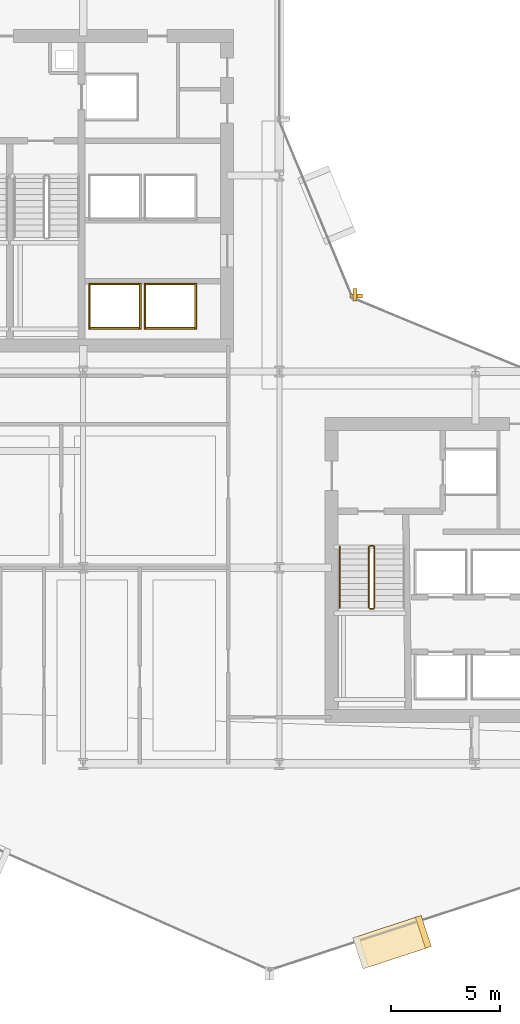
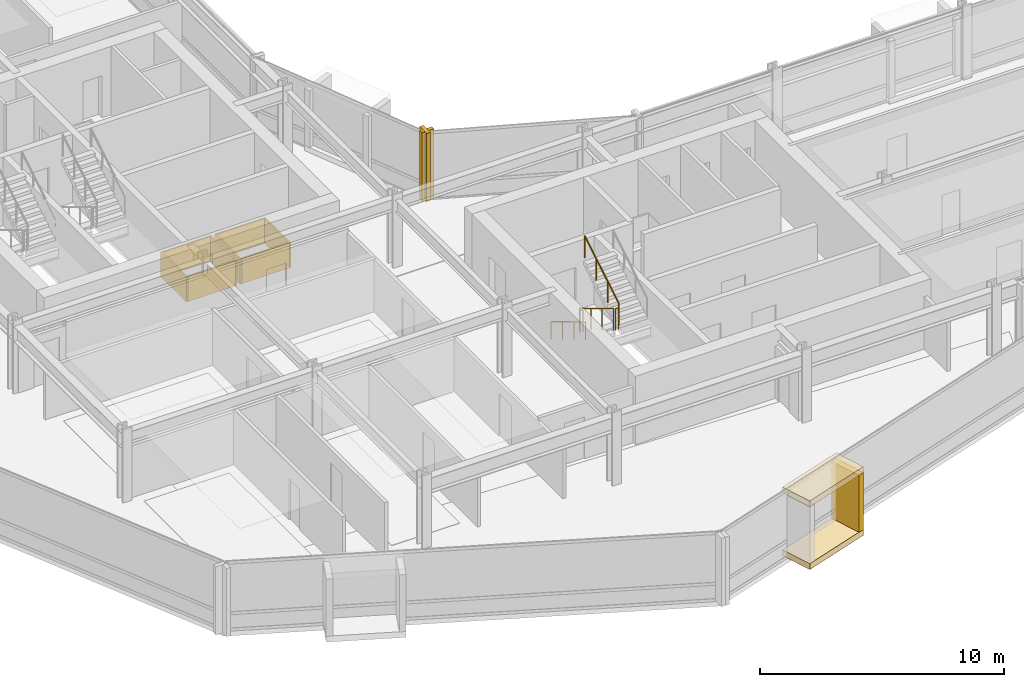
# One storey, part 31 of 34: 13 coverings, 5 railings.
"""IFC4 building model written with IfcOpenShell, lengths in metres."""

from ifc_helpers import new_model, si_unit, direction, frame, origin, origin_2d, place, context, subcontext, project, spatial, rectangle, circle, extrude, material, layer, layer_set, type_object, element, save


model = new_model("IFC4")

# Units and contexts
model_context = context("Model", 3, precision=1e-05, world=origin(), true_north=direction((0.0, 1.0)))
body_context = subcontext(model_context, "Body", "Model", "MODEL_VIEW")
ifc_project = project(units=[si_unit("LENGTHUNIT", "METRE"), si_unit("AREAUNIT", "SQUARE_METRE"), si_unit("VOLUMEUNIT", "CUBIC_METRE"), si_unit("PLANEANGLEUNIT", "RADIAN"), si_unit("MASSUNIT", "GRAM", prefix="KILO")], contexts=[model_context])

# Site, building, storey
site_placement = place(None, origin())
site = spatial("IfcSite", under=ifc_project, at=site_placement, CompositionType="ELEMENT")
building_placement = place(site_placement, origin())
building = spatial("IfcBuilding", under=site, at=building_placement, Name="Solvaryn Broadcast Tower", CompositionType="ELEMENT")
storey_placement = place(building_placement, frame((0.0, 0.0, 50.800048828125)))
storey = spatial("IfcBuildingStorey", under=building, at=storey_placement, Name="L11", CompositionType="ELEMENT", Elevation=50.800048828125)

# Coverings
ifc_material_1 = material(Name="Fire-Rated Gypsum Shaftwall Liner", Category="concrete")
ifc_layer_1 = layer(ifc_material_1, 0.080078125)
ifc_layer_set_1 = layer_set([ifc_layer_1], Name="CV-SHAFT-LINER")
covering_type_1 = type_object("IfcCoveringType", Name="CV-SHAFT-LINER", PredefinedType="CLADDING", material=ifc_layer_set_1)
for number, where, z_axis, x_axis, name in (
    (1, (19.449951171875, 31.014892578125, 0.0), (0.0, 0.0, 1.0), (1.0, 0.0, 0.0), "L11 PH1 Hoistway Shaft Liner North"),
    (2, (19.449951171875, 28.985107421875, 0.0), (0.0, 0.0, 1.0), (1.0, 0.0, 0.0), "L11 PH1 Hoistway Shaft Liner South"),
):
    element("IfcCovering", number, at=place(storey_placement, frame(where, z_axis=z_axis, x_axis=x_axis)), inside=storey, type_object=covering_type_1, Name=name, PredefinedType="CLADDING", context=body_context, shape_type="SweptSolid", body=[
        extrude(rectangle(XDim=2.409912109375, YDim=0.080078125, at=origin_2d()), origin(), (0.0, 0.0, 1.0), 1.25),
    ])
for number, where, z_axis, x_axis, name in (
    (3, (20.614990234375, 30.0, 0.0), (0.0, 0.0, 1.0), (1.0, 0.0, 0.0), "L11 PH1 Hoistway Shaft Liner East"),
    (4, (18.284912109375, 30.0, 0.0), (0.0, 0.0, 1.0), (1.0, 0.0, 0.0), "L11 PH1 Hoistway Shaft Liner West"),
):
    element("IfcCovering", number, at=place(storey_placement, frame(where, z_axis=z_axis, x_axis=x_axis)), inside=storey, type_object=covering_type_1, Name=name, PredefinedType="CLADDING", context=body_context, shape_type="SweptSolid", body=[
        extrude(rectangle(XDim=0.080078125, YDim=2.110107421875, at=origin_2d()), origin(), (0.0, 0.0, 1.0), 1.25),
    ])
for number, where, z_axis, x_axis, name in (
    (5, (22.0, 31.014892578125, 0.0), (0.0, 0.0, 1.0), (1.0, 0.0, 0.0), "L11 PH2 Hoistway Shaft Liner North"),
    (6, (22.0, 28.985107421875, 0.0), (0.0, 0.0, 1.0), (1.0, 0.0, 0.0), "L11 PH2 Hoistway Shaft Liner South"),
):
    element("IfcCovering", number, at=place(storey_placement, frame(where, z_axis=z_axis, x_axis=x_axis)), inside=storey, type_object=covering_type_1, Name=name, PredefinedType="CLADDING", context=body_context, shape_type="SweptSolid", body=[
        extrude(rectangle(XDim=2.409912109375, YDim=0.080078125, at=origin_2d()), origin(), (0.0, 0.0, 1.0), 1.25),
    ])
for number, where, z_axis, x_axis, name in (
    (7, (23.1650390625, 30.0, 0.0), (0.0, 0.0, 1.0), (1.0, 0.0, 0.0), "L11 PH2 Hoistway Shaft Liner East"),
    (8, (20.8349609375, 30.0, 0.0), (0.0, 0.0, 1.0), (1.0, 0.0, 0.0), "L11 PH2 Hoistway Shaft Liner West"),
):
    element("IfcCovering", number, at=place(storey_placement, frame(where, z_axis=z_axis, x_axis=x_axis)), inside=storey, type_object=covering_type_1, Name=name, PredefinedType="CLADDING", context=body_context, shape_type="SweptSolid", body=[
        extrude(rectangle(XDim=0.080078125, YDim=2.110107421875, at=origin_2d()), origin(), (0.0, 0.0, 1.0), 1.25),
    ])
ifc_material_2 = material(Name="Glazed Architectural Terracotta Rainscreen Cladding", Category="masonry")
ifc_layer_2 = layer(ifc_material_2, 0.280029296875)
ifc_layer_set_2 = layer_set([ifc_layer_2], Name="CV-TC-CLAD")
covering_type_2 = type_object("IfcCoveringType", Name="CV-TC-CLAD", PredefinedType="CLADDING", material=ifc_layer_set_2)
for number, where, z_axis, x_axis, name in (
    (9, (32.173095703125, 0.819091796875, 3.1298828125), (0.0, 0.0, 1.0), (0.950189870912, 0.311671636848, 0.0), "L11 Projecting Stone Window Box Hood 4"),
    (10, (32.173095703125, 0.819091796875, -0.01025390625), (0.0, 0.0, 1.0), (0.950189870912, 0.311671636848, 0.0), "L11 Projecting Stone Window Box Sill 4"),
):
    element("IfcCovering", number, at=place(storey_placement, frame(where, z_axis=z_axis, x_axis=x_axis)), inside=storey, type_object=covering_type_2, Name=name, PredefinedType="CLADDING", context=body_context, shape_type="SweptSolid", body=[
        extrude(rectangle(XDim=3.300048828125, YDim=1.5, at=origin_2d()), origin(), (0.0, 0.0, 1.0), 0.300048828125),
    ])
covering_1_placement = place(storey_placement, frame((33.60791015625, 1.28955078125, 0.27978515625), z_axis=(0.0, 0.0, 1.0), x_axis=(0.950189870912, 0.311671636848, 0.0)))
element("IfcCovering", 11, at=covering_1_placement, inside=storey, type_object=covering_type_2, Name="L11 Projecting Stone Window Box Cheek 4-2", PredefinedType="CLADDING", context=body_context, shape_type="SweptSolid", body=[
    extrude(rectangle(XDim=0.280029296875, YDim=1.5, at=origin_2d()), origin(), (0.0, 0.0, 1.0), 2.860107421875),
])
ifc_material_3 = material(Name="Extruded Architectural Terracotta Fin", Category="masonry")
ifc_layer_3 = layer(ifc_material_3, 0.179931640625)
ifc_layer_set_3 = layer_set([ifc_layer_3], Name="CV-TC-FIN")
covering_type_3 = type_object("IfcCoveringType", Name="CV-TC-FIN", PredefinedType="USERDEFINED", material=ifc_layer_set_3)
covering_2_placement = place(storey_placement, frame((30.464599609375, 30.52294921875, 0.0), z_axis=(0.0, 0.0, 1.0), x_axis=(1.0, 0.0, 0.0)))
element("IfcCovering", 12, at=covering_2_placement, inside=storey, type_object=covering_type_3, Name="L11 Terracotta Vertical Fin FIN-L11-CN1-M01", ObjectType="FIN", PredefinedType="USERDEFINED", context=body_context, shape_type="SweptSolid", body=[
    extrude(rectangle(XDim=0.179931640625, YDim=0.580078125, at=origin_2d()), origin(), (0.0, 0.0, 1.0), 3.419921875),
])
covering_3_placement = place(storey_placement, frame((30.52294921875, 30.464599609375, 0.0), z_axis=(0.0, 0.0, 1.0), x_axis=(1.0, 0.0, 0.0)))
element("IfcCovering", 13, at=covering_3_placement, inside=storey, type_object=covering_type_3, Name="L11 Terracotta Vertical Fin FIN-L11-CN2-M00", ObjectType="FIN", PredefinedType="USERDEFINED", context=body_context, shape_type="SweptSolid", body=[
    extrude(rectangle(XDim=0.580078125, YDim=0.179931640625, at=origin_2d()), origin(), (0.0, 0.0, 1.0), 3.419921875),
])

# Railings
ifc_material_4 = material(Name="Painted Steel Stair Well Guard", Category="steel")
railing_type_1 = type_object("IfcRailingType", Name="RL-STAIR-GUARD", PredefinedType="BALUSTRADE", material=ifc_material_4)
railing_1_placement = place(storey_placement, frame((31.110107421875, 18.9599609375, 0.168212890625)))
element("IfcRailing", 14, at=railing_1_placement, inside=storey, type_object=railing_type_1, Name="L11 ST3 stair guard 1", PredefinedType="BALUSTRADE", context=body_context, shape_type="SweptSolid", body=[
    extrude(circle(Radius=0.02392578125, at=origin_2d()), frame((0.0, 0.0, 1.076171875), z_axis=(0.0, -0.857275202839, 0.514858452973), x_axis=(1.0, 0.0, 0.0)), (0.0, 0.0, 1.0), 3.26611328125),
    extrude(circle(Radius=0.02099609375, at=origin_2d()), origin(), (0.0, 0.0, 1.0), 1.052001953125),
    extrude(circle(Radius=0.02099609375, at=origin_2d()), frame((0.0, -0.933349609375, 0.560546875)), (0.0, 0.0, 1.0), 1.052001953125),
    extrude(circle(Radius=0.02099609375, at=origin_2d()), frame((0.0, -1.86669921875, 1.12109375)), (0.0, 0.0, 1.0), 1.052001953125),
    extrude(circle(Radius=0.02099609375, at=origin_2d()), frame((0.0, -2.800048828125, 1.681640625)), (0.0, 0.0, 1.0), 1.052001953125),
])
railing_2_placement = place(storey_placement, frame((31.159912109375, 16.110107421875, 1.849853515625)))
element("IfcRailing", 15, at=railing_2_placement, inside=storey, type_object=railing_type_1, Name="L11 ST3 stair guard 2", PredefinedType="BALUSTRADE", context=body_context, shape_type="SweptSolid", body=[
    extrude(circle(Radius=0.02392578125, at=origin_2d()), frame((0.0, 0.0, 1.076171875), z_axis=(1.0, 0.0, 0.0), x_axis=(0.0, 1.0, 0.0)), (0.0, 0.0, 1.0), 0.150146484375),
    extrude(circle(Radius=0.02099609375, at=origin_2d()), origin(), (0.0, 0.0, 1.0), 1.052001953125),
    extrude(circle(Radius=0.02099609375, at=origin_2d()), frame((0.150146484375, 0.0, 0.0)), (0.0, 0.0, 1.0), 1.052001953125),
])
railing_3_placement = place(storey_placement, frame((31.360107421875, 16.159912109375, 2.01806640625)))
element("IfcRailing", 16, at=railing_3_placement, inside=storey, type_object=railing_type_1, Name="L11 ST3 stair guard 3", PredefinedType="BALUSTRADE", context=body_context, shape_type="SweptSolid", body=[
    extrude(circle(Radius=0.02392578125, at=origin_2d()), frame((0.0, 0.0, 1.076171875), z_axis=(0.0, 0.857242210791, 0.514913383045), x_axis=(-1.0, 0.0, 0.0)), (0.0, 0.0, 1.0), 3.266357421875),
    extrude(circle(Radius=0.02099609375, at=origin_2d()), origin(), (0.0, 0.0, 1.0), 1.052001953125),
    extrude(circle(Radius=0.02099609375, at=origin_2d()), frame((0.0, 0.933349609375, 0.560546875)), (0.0, 0.0, 1.0), 1.052001953125),
    extrude(circle(Radius=0.02099609375, at=origin_2d()), frame((0.0, 1.86669921875, 1.121337890625)), (0.0, 0.0, 1.0), 1.052001953125),
    extrude(circle(Radius=0.02099609375, at=origin_2d()), frame((0.0, 2.800048828125, 1.681884765625)), (0.0, 0.0, 1.0), 1.052001953125),
])
railing_4_placement = place(storey_placement, frame((31.159912109375, 19.010009765625, 0.0)))
element("IfcRailing", 17, at=railing_4_placement, inside=storey, type_object=railing_type_1, Name="L11 ST3 stair guard 4", PredefinedType="BALUSTRADE", context=body_context, shape_type="SweptSolid", body=[
    extrude(circle(Radius=0.02392578125, at=origin_2d()), frame((0.0, 0.0, 1.076171875), z_axis=(1.0, 0.0, 0.0), x_axis=(0.0, 1.0, 0.0)), (0.0, 0.0, 1.0), 0.150146484375),
    extrude(circle(Radius=0.02099609375, at=origin_2d()), origin(), (0.0, 0.0, 1.0), 1.052001953125),
    extrude(circle(Radius=0.02099609375, at=origin_2d()), frame((0.150146484375, 0.0, 0.0)), (0.0, 0.0, 1.0), 1.052001953125),
])
ifc_material_5 = material(Name="Brushed Stainless Steel Tubular Handrail", Category="steel")
railing_type_2 = type_object("IfcRailingType", Name="RL-STAIR-HANDRAIL", PredefinedType="HANDRAIL", material=ifc_material_5)
railing_5_placement = place(storey_placement, frame((29.77001953125, 18.9599609375, 0.168212890625)))
element("IfcRailing", 18, at=railing_5_placement, inside=storey, type_object=railing_type_2, Name="L11 ST3 stair handrail 1", PredefinedType="HANDRAIL", context=body_context, shape_type="SweptSolid", body=[
    extrude(circle(Radius=0.02392578125, at=origin_2d()), frame((0.0, 0.0, 0.8759765625), z_axis=(0.0, -0.857275202839, 0.514858452973), x_axis=(1.0, 0.0, 0.0)), (0.0, 0.0, 1.0), 3.26611328125),
    extrude(circle(Radius=0.02099609375, at=origin_2d()), origin(), (0.0, 0.0, 1.0), 0.851806640625),
    extrude(circle(Radius=0.02099609375, at=origin_2d()), frame((0.0, -0.933349609375, 0.560546875)), (0.0, 0.0, 1.0), 0.851806640625),
    extrude(circle(Radius=0.02099609375, at=origin_2d()), frame((0.0, -1.86669921875, 1.12109375)), (0.0, 0.0, 1.0), 0.851806640625),
    extrude(circle(Radius=0.02099609375, at=origin_2d()), frame((0.0, -2.800048828125, 1.681640625)), (0.0, 0.0, 1.0), 0.851806640625),
])

save(model, "model.ifc")
